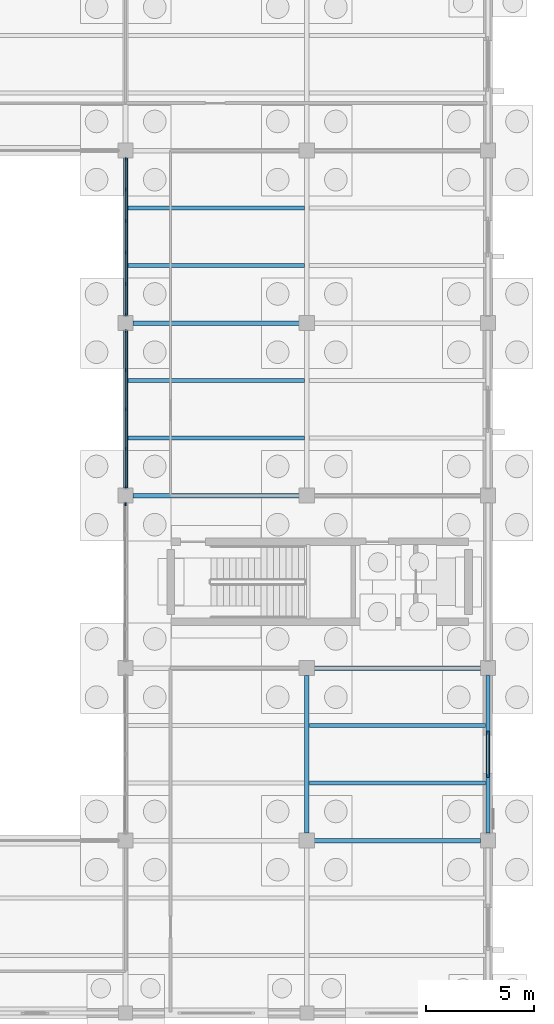
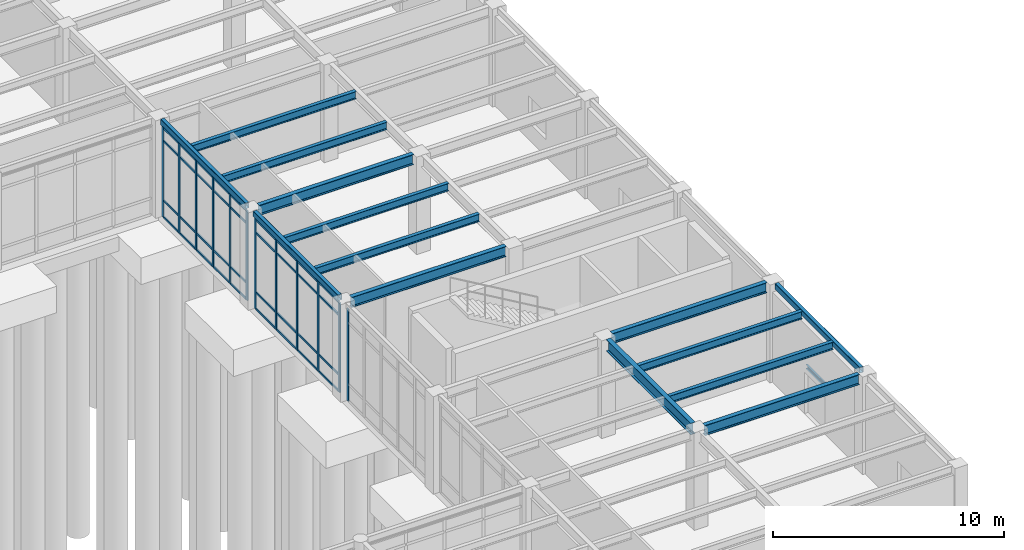
# One storey, part 59 of 138: 48 members, 15 beams, 3 elements without a shape of their own.
"""IFC4 building model written with IfcOpenShell, lengths in metres."""

from ifc_helpers import new_model, si_unit, direction, frame, origin, origin_2d, place, context, subcontext, project, spatial, rectangle, hollow_rectangle, i_section, u_section, extrude, material, layer, layer_set, material_profile, profile_set, type_object, element, aggregate, save


model = new_model("IFC4")

# Units and contexts
model_context = context("Model", 3, precision=1e-05, world=origin(), true_north=direction((0.0, 1.0)))
body_context = subcontext(model_context, "Body", "Model", "MODEL_VIEW")
ifc_project = project(units=[si_unit("LENGTHUNIT", "METRE"), si_unit("AREAUNIT", "SQUARE_METRE"), si_unit("VOLUMEUNIT", "CUBIC_METRE"), si_unit("PLANEANGLEUNIT", "RADIAN"), si_unit("MASSUNIT", "GRAM", prefix="KILO")], contexts=[model_context])

# Site, building, storey
site_placement = place(None, origin())
site = spatial("IfcSite", under=ifc_project, at=site_placement, CompositionType="ELEMENT")
building_placement = place(site_placement, origin())
building = spatial("IfcBuilding", under=site, at=building_placement, Name="Kranzveld Transit Interchange", CompositionType="ELEMENT")
storey_placement = place(building_placement, origin())
storey = spatial("IfcBuildingStorey", under=building, at=storey_placement, Name="L00", CompositionType="ELEMENT", Elevation=0.0)

# Curtain wall, members
ifc_material_1 = material(Name="Bronze-anodised thermally broken aluminium", Category="aluminium")
ifc_layer_1 = layer(ifc_material_1, 0.159912109375)
ifc_layer_set_1 = layer_set([ifc_layer_1], Name="Bronze-anodised thermally broken aluminium")
curtain_wall_type_1 = type_object("IfcCurtainWallType", Name="Bus Boarding Glazed Screen CW-3", PredefinedType="USERDEFINED", material=ifc_layer_set_1)
curtain_wall_1_placement = place(storey_placement, origin())
curtain_wall_1 = element("IfcCurtainWall", 1, at=curtain_wall_1_placement, inside=storey, type_object=curtain_wall_type_1, Name="L00 Curtain Wall 19/L-19/M", ObjectType="CURTAIN WALL", PredefinedType="USERDEFINED")
ifc_material_2 = material(Name="Bronze-anodised thermally broken aluminium", Category="aluminium")
ifc_material_profile_1 = material_profile(ifc_material_2, rectangle(XDim=0.06005859375, YDim=0.14990234375, at=origin_2d()), Name="ALU MULLION 60x150")
ifc_profile_set_1 = profile_set([ifc_material_profile_1], Name="Bronze-anodised thermally broken aluminium")
member_type_1 = type_object("IfcMemberType", Name="Curtain Wall Mullion 60x150 Alu", PredefinedType="MULLION", material=ifc_profile_set_1)
member_1_placement = place(storey_placement, frame((151.199951171875, 80.3798828125, 0.0), z_axis=(0.0, 0.0, 1.0), x_axis=(-1.0, 0.0, 0.0)))
member_1 = element("IfcMember", 2, at=member_1_placement, type_object=member_type_1, Name="CW-3 mullion 1", PredefinedType="MULLION", context=body_context, shape_type="SweptSolid", body=[
    extrude(rectangle(XDim=0.06005859375, YDim=0.14990234375, at=origin_2d()), origin(), (0.0, 0.0, 1.0), 4.747314453125),
])
member_2_placement = place(storey_placement, frame((151.199951171875, 82.175048828125, 0.0), z_axis=(0.0, 0.0, 1.0), x_axis=(-1.0, 0.0, 0.0)))
member_2 = element("IfcMember", 3, at=member_2_placement, type_object=member_type_1, Name="CW-3 mullion 2", PredefinedType="MULLION", context=body_context, shape_type="SweptSolid", body=[
    extrude(rectangle(XDim=0.06005859375, YDim=0.14990234375, at=origin_2d()), origin(), (0.0, 0.0, 1.0), 4.747314453125),
])
member_3_placement = place(storey_placement, frame((151.199951171875, 84.0, 0.0), z_axis=(0.0, 0.0, 1.0), x_axis=(-1.0, 0.0, 0.0)))
member_3 = element("IfcMember", 4, at=member_3_placement, type_object=member_type_1, Name="CW-3 mullion 3", PredefinedType="MULLION", context=body_context, shape_type="SweptSolid", body=[
    extrude(rectangle(XDim=0.06005859375, YDim=0.14990234375, at=origin_2d()), origin(), (0.0, 0.0, 1.0), 4.747314453125),
])
member_4_placement = place(storey_placement, frame((151.199951171875, 85.824951171875, 0.0), z_axis=(0.0, 0.0, 1.0), x_axis=(-1.0, 0.0, 0.0)))
member_4 = element("IfcMember", 5, at=member_4_placement, type_object=member_type_1, Name="CW-3 mullion 4", PredefinedType="MULLION", context=body_context, shape_type="SweptSolid", body=[
    extrude(rectangle(XDim=0.06005859375, YDim=0.14990234375, at=origin_2d()), origin(), (0.0, 0.0, 1.0), 4.747314453125),
])
member_5_placement = place(storey_placement, frame((151.199951171875, 87.6201171875, 0.0), z_axis=(0.0, 0.0, 1.0), x_axis=(-1.0, 0.0, 0.0)))
member_5 = element("IfcMember", 6, at=member_5_placement, type_object=member_type_1, Name="CW-3 mullion 5", PredefinedType="MULLION", context=body_context, shape_type="SweptSolid", body=[
    extrude(rectangle(XDim=0.06005859375, YDim=0.14990234375, at=origin_2d()), origin(), (0.0, 0.0, 1.0), 4.747314453125),
])

ifc_material_3 = material(Name="Bronze-anodised thermally broken aluminium", Category="aluminium")
ifc_layer_2 = layer(ifc_material_3, 0.14990234375)
ifc_layer_set_2 = layer_set([ifc_layer_2], Name="Bronze-anodised thermally broken aluminium")
curtain_wall_type_2 = type_object("IfcCurtainWallType", Name="Public Passage Clerestory Screen CW-4", PredefinedType="USERDEFINED", material=ifc_layer_set_2)
curtain_wall_2_placement = place(storey_placement, origin())
curtain_wall_2 = element("IfcCurtainWall", 7, at=curtain_wall_2_placement, inside=storey, type_object=curtain_wall_type_2, Name="L00 Curtain Wall 19/M-19/N", ObjectType="CURTAIN WALL", PredefinedType="USERDEFINED")
member_6_placement = place(storey_placement, frame((151.199951171875, 88.3798828125, 0.0), z_axis=(0.0, 0.0, 1.0), x_axis=(-1.0, 0.0, 0.0)))
member_6 = element("IfcMember", 8, at=member_6_placement, type_object=member_type_1, Name="CW-4 mullion 1", PredefinedType="MULLION", context=body_context, shape_type="SweptSolid", body=[
    extrude(rectangle(XDim=0.06005859375, YDim=0.14990234375, at=origin_2d()), origin(), (0.0, 0.0, 1.0), 4.747314453125),
])
member_7_placement = place(storey_placement, frame((151.199951171875, 89.81005859375, 0.0), z_axis=(0.0, 0.0, 1.0), x_axis=(-1.0, 0.0, 0.0)))
member_7 = element("IfcMember", 9, at=member_7_placement, type_object=member_type_1, Name="CW-4 mullion 2", PredefinedType="MULLION", context=body_context, shape_type="SweptSolid", body=[
    extrude(rectangle(XDim=0.06005859375, YDim=0.14990234375, at=origin_2d()), origin(), (0.0, 0.0, 1.0), 4.747314453125),
])
member_8_placement = place(storey_placement, frame((151.199951171875, 91.27001953125, 0.0), z_axis=(0.0, 0.0, 1.0), x_axis=(-1.0, 0.0, 0.0)))
member_8 = element("IfcMember", 10, at=member_8_placement, type_object=member_type_1, Name="CW-4 mullion 3", PredefinedType="MULLION", context=body_context, shape_type="SweptSolid", body=[
    extrude(rectangle(XDim=0.06005859375, YDim=0.14990234375, at=origin_2d()), origin(), (0.0, 0.0, 1.0), 4.747314453125),
])
member_9_placement = place(storey_placement, frame((151.199951171875, 92.72998046875, 0.0), z_axis=(0.0, 0.0, 1.0), x_axis=(-1.0, 0.0, 0.0)))
member_9 = element("IfcMember", 11, at=member_9_placement, type_object=member_type_1, Name="CW-4 mullion 4", PredefinedType="MULLION", context=body_context, shape_type="SweptSolid", body=[
    extrude(rectangle(XDim=0.06005859375, YDim=0.14990234375, at=origin_2d()), origin(), (0.0, 0.0, 1.0), 4.747314453125),
])
member_10_placement = place(storey_placement, frame((151.199951171875, 94.18994140625, 0.0), z_axis=(0.0, 0.0, 1.0), x_axis=(-1.0, 0.0, 0.0)))
member_10 = element("IfcMember", 12, at=member_10_placement, type_object=member_type_1, Name="CW-4 mullion 5", PredefinedType="MULLION", context=body_context, shape_type="SweptSolid", body=[
    extrude(rectangle(XDim=0.06005859375, YDim=0.14990234375, at=origin_2d()), origin(), (0.0, 0.0, 1.0), 4.747314453125),
])
member_11_placement = place(storey_placement, frame((151.199951171875, 95.6201171875, 0.0), z_axis=(0.0, 0.0, 1.0), x_axis=(-1.0, 0.0, 0.0)))
member_11 = element("IfcMember", 13, at=member_11_placement, type_object=member_type_1, Name="CW-4 mullion 6", PredefinedType="MULLION", context=body_context, shape_type="SweptSolid", body=[
    extrude(rectangle(XDim=0.06005859375, YDim=0.14990234375, at=origin_2d()), origin(), (0.0, 0.0, 1.0), 4.747314453125),
])

# Curtain wall, member
ifc_material_4 = material(Name="Bronze-anodised thermally broken aluminium", Category="aluminium")
ifc_layer_3 = layer(ifc_material_4, 0.1650390625)
ifc_layer_set_3 = layer_set([ifc_layer_3], Name="Bronze-anodised thermally broken aluminium")
curtain_wall_type_3 = type_object("IfcCurtainWallType", Name="Sunny Court Arcade Curtain Wall CW-2", PredefinedType="USERDEFINED", material=ifc_layer_set_3)
curtain_wall_3_placement = place(storey_placement, origin())
curtain_wall_3 = element("IfcCurtainWall", 14, at=curtain_wall_3_placement, inside=storey, type_object=curtain_wall_type_3, Name="L00 Curtain Wall 19/K-19/L", ObjectType="CURTAIN WALL", PredefinedType="USERDEFINED")
ifc_material_5 = material(Name="Bronze-anodised thermally broken aluminium", Category="aluminium")
ifc_material_profile_2 = material_profile(ifc_material_5, rectangle(XDim=0.06494140625, YDim=0.1650390625, at=origin_2d()), Name="ALU MULLION 65x165")
ifc_profile_set_2 = profile_set([ifc_material_profile_2], Name="Bronze-anodised thermally broken aluminium")
member_type_2 = type_object("IfcMemberType", Name="Curtain Wall Mullion 65x165 Alu", PredefinedType="MULLION", material=ifc_profile_set_2)
member_12_placement = place(storey_placement, frame((151.199951171875, 79.617431640625, 0.0), z_axis=(0.0, 0.0, 1.0), x_axis=(-1.0, 0.0, 0.0)))
member_12 = element("IfcMember", 15, at=member_12_placement, type_object=member_type_2, Name="CW-2 mullion 6", PredefinedType="MULLION", context=body_context, shape_type="SweptSolid", body=[
    extrude(rectangle(XDim=0.06494140625, YDim=0.1650390625, at=origin_2d()), origin(), (0.0, 0.0, 1.0), 4.85009765625),
])
aggregate(curtain_wall_3, [member_12])

# Member
ifc_material_6 = material(Name="Bronze-anodised thermally broken aluminium", Category="aluminium")
ifc_material_profile_3 = material_profile(ifc_material_6, rectangle(XDim=0.06005859375, YDim=0.110107421875, at=origin_2d()), Name="ALU TRANSOM 60x110")
ifc_profile_set_3 = profile_set([ifc_material_profile_3], Name="Bronze-anodised thermally broken aluminium")
member_type_3 = type_object("IfcMemberType", Name="Curtain Wall Transom 60x110 Alu", PredefinedType="USERDEFINED", material=ifc_profile_set_3)
member_13_placement = place(storey_placement, frame((151.199951171875, 80.409912109375, 0.030029296875), z_axis=(0.0, 1.0, 0.0), x_axis=(-1.0, 0.0, 0.0)))
member_13 = element("IfcMember", 16, at=member_13_placement, type_object=member_type_3, Name="CW-3 transom 1.1", ObjectType="TRANSOM", PredefinedType="USERDEFINED", context=body_context, shape_type="SweptSolid", body=[
    extrude(rectangle(XDim=0.06005859375, YDim=0.110107421875, at=origin_2d()), origin(), (0.0, 0.0, 1.0), 1.735107421875),
])

member_14_placement = place(storey_placement, frame((151.199951171875, 80.409912109375, 0.89990234375), z_axis=(0.0, 1.0, 0.0), x_axis=(-1.0, 0.0, 0.0)))
member_14 = element("IfcMember", 17, at=member_14_placement, type_object=member_type_3, Name="CW-3 transom 1.2", ObjectType="TRANSOM", PredefinedType="USERDEFINED", context=body_context, shape_type="SweptSolid", body=[
    extrude(rectangle(XDim=0.06005859375, YDim=0.110107421875, at=origin_2d()), origin(), (0.0, 0.0, 1.0), 1.735107421875),
])

member_15_placement = place(storey_placement, frame((151.199951171875, 80.409912109375, 4.04736328125), z_axis=(0.0, 1.0, 0.0), x_axis=(-1.0, 0.0, 0.0)))
member_15 = element("IfcMember", 18, at=member_15_placement, type_object=member_type_3, Name="CW-3 transom 1.3", ObjectType="TRANSOM", PredefinedType="USERDEFINED", context=body_context, shape_type="SweptSolid", body=[
    extrude(rectangle(XDim=0.06005859375, YDim=0.110107421875, at=origin_2d()), origin(), (0.0, 0.0, 1.0), 1.735107421875),
])

member_16_placement = place(storey_placement, frame((151.199951171875, 80.409912109375, 4.71728515625), z_axis=(0.0, 1.0, 0.0), x_axis=(-1.0, 0.0, 0.0)))
member_16 = element("IfcMember", 19, at=member_16_placement, type_object=member_type_3, Name="CW-3 transom 1.4", ObjectType="TRANSOM", PredefinedType="USERDEFINED", context=body_context, shape_type="SweptSolid", body=[
    extrude(rectangle(XDim=0.06005859375, YDim=0.110107421875, at=origin_2d()), origin(), (0.0, 0.0, 1.0), 1.735107421875),
])

member_17_placement = place(storey_placement, frame((151.199951171875, 82.205078125, 0.030029296875), z_axis=(0.0, 1.0, 0.0), x_axis=(-1.0, 0.0, 0.0)))
member_17 = element("IfcMember", 20, at=member_17_placement, type_object=member_type_3, Name="CW-3 transom 2.1", ObjectType="TRANSOM", PredefinedType="USERDEFINED", context=body_context, shape_type="SweptSolid", body=[
    extrude(rectangle(XDim=0.06005859375, YDim=0.110107421875, at=origin_2d()), origin(), (0.0, 0.0, 1.0), 1.764892578125),
])

member_18_placement = place(storey_placement, frame((151.199951171875, 82.205078125, 0.89990234375), z_axis=(0.0, 1.0, 0.0), x_axis=(-1.0, 0.0, 0.0)))
member_18 = element("IfcMember", 21, at=member_18_placement, type_object=member_type_3, Name="CW-3 transom 2.2", ObjectType="TRANSOM", PredefinedType="USERDEFINED", context=body_context, shape_type="SweptSolid", body=[
    extrude(rectangle(XDim=0.06005859375, YDim=0.110107421875, at=origin_2d()), origin(), (0.0, 0.0, 1.0), 1.764892578125),
])

member_19_placement = place(storey_placement, frame((151.199951171875, 82.205078125, 4.04736328125), z_axis=(0.0, 1.0, 0.0), x_axis=(-1.0, 0.0, 0.0)))
member_19 = element("IfcMember", 22, at=member_19_placement, type_object=member_type_3, Name="CW-3 transom 2.3", ObjectType="TRANSOM", PredefinedType="USERDEFINED", context=body_context, shape_type="SweptSolid", body=[
    extrude(rectangle(XDim=0.06005859375, YDim=0.110107421875, at=origin_2d()), origin(), (0.0, 0.0, 1.0), 1.764892578125),
])

member_20_placement = place(storey_placement, frame((151.199951171875, 82.205078125, 4.71728515625), z_axis=(0.0, 1.0, 0.0), x_axis=(-1.0, 0.0, 0.0)))
member_20 = element("IfcMember", 23, at=member_20_placement, type_object=member_type_3, Name="CW-3 transom 2.4", ObjectType="TRANSOM", PredefinedType="USERDEFINED", context=body_context, shape_type="SweptSolid", body=[
    extrude(rectangle(XDim=0.06005859375, YDim=0.110107421875, at=origin_2d()), origin(), (0.0, 0.0, 1.0), 1.764892578125),
])

member_21_placement = place(storey_placement, frame((151.199951171875, 84.030029296875, 0.030029296875), z_axis=(0.0, 1.0, 0.0), x_axis=(-1.0, 0.0, 0.0)))
member_21 = element("IfcMember", 24, at=member_21_placement, type_object=member_type_3, Name="CW-3 transom 3.1", ObjectType="TRANSOM", PredefinedType="USERDEFINED", context=body_context, shape_type="SweptSolid", body=[
    extrude(rectangle(XDim=0.06005859375, YDim=0.110107421875, at=origin_2d()), origin(), (0.0, 0.0, 1.0), 1.764892578125),
])

member_22_placement = place(storey_placement, frame((151.199951171875, 84.030029296875, 0.89990234375), z_axis=(0.0, 1.0, 0.0), x_axis=(-1.0, 0.0, 0.0)))
member_22 = element("IfcMember", 25, at=member_22_placement, type_object=member_type_3, Name="CW-3 transom 3.2", ObjectType="TRANSOM", PredefinedType="USERDEFINED", context=body_context, shape_type="SweptSolid", body=[
    extrude(rectangle(XDim=0.06005859375, YDim=0.110107421875, at=origin_2d()), origin(), (0.0, 0.0, 1.0), 1.764892578125),
])

member_23_placement = place(storey_placement, frame((151.199951171875, 84.030029296875, 4.04736328125), z_axis=(0.0, 1.0, 0.0), x_axis=(-1.0, 0.0, 0.0)))
member_23 = element("IfcMember", 26, at=member_23_placement, type_object=member_type_3, Name="CW-3 transom 3.3", ObjectType="TRANSOM", PredefinedType="USERDEFINED", context=body_context, shape_type="SweptSolid", body=[
    extrude(rectangle(XDim=0.06005859375, YDim=0.110107421875, at=origin_2d()), origin(), (0.0, 0.0, 1.0), 1.764892578125),
])

member_24_placement = place(storey_placement, frame((151.199951171875, 84.030029296875, 4.71728515625), z_axis=(0.0, 1.0, 0.0), x_axis=(-1.0, 0.0, 0.0)))
member_24 = element("IfcMember", 27, at=member_24_placement, type_object=member_type_3, Name="CW-3 transom 3.4", ObjectType="TRANSOM", PredefinedType="USERDEFINED", context=body_context, shape_type="SweptSolid", body=[
    extrude(rectangle(XDim=0.06005859375, YDim=0.110107421875, at=origin_2d()), origin(), (0.0, 0.0, 1.0), 1.764892578125),
])

member_25_placement = place(storey_placement, frame((151.199951171875, 85.85498046875, 0.030029296875), z_axis=(0.0, 1.0, 0.0), x_axis=(-1.0, 0.0, 0.0)))
member_25 = element("IfcMember", 28, at=member_25_placement, type_object=member_type_3, Name="CW-3 transom 4.1", ObjectType="TRANSOM", PredefinedType="USERDEFINED", context=body_context, shape_type="SweptSolid", body=[
    extrude(rectangle(XDim=0.06005859375, YDim=0.110107421875, at=origin_2d()), origin(), (0.0, 0.0, 1.0), 1.735107421875),
])

member_26_placement = place(storey_placement, frame((151.199951171875, 85.85498046875, 0.89990234375), z_axis=(0.0, 1.0, 0.0), x_axis=(-1.0, 0.0, 0.0)))
member_26 = element("IfcMember", 29, at=member_26_placement, type_object=member_type_3, Name="CW-3 transom 4.2", ObjectType="TRANSOM", PredefinedType="USERDEFINED", context=body_context, shape_type="SweptSolid", body=[
    extrude(rectangle(XDim=0.06005859375, YDim=0.110107421875, at=origin_2d()), origin(), (0.0, 0.0, 1.0), 1.735107421875),
])

member_27_placement = place(storey_placement, frame((151.199951171875, 85.85498046875, 4.04736328125), z_axis=(0.0, 1.0, 0.0), x_axis=(-1.0, 0.0, 0.0)))
member_27 = element("IfcMember", 30, at=member_27_placement, type_object=member_type_3, Name="CW-3 transom 4.3", ObjectType="TRANSOM", PredefinedType="USERDEFINED", context=body_context, shape_type="SweptSolid", body=[
    extrude(rectangle(XDim=0.06005859375, YDim=0.110107421875, at=origin_2d()), origin(), (0.0, 0.0, 1.0), 1.735107421875),
])

member_28_placement = place(storey_placement, frame((151.199951171875, 85.85498046875, 4.71728515625), z_axis=(0.0, 1.0, 0.0), x_axis=(-1.0, 0.0, 0.0)))
member_28 = element("IfcMember", 31, at=member_28_placement, type_object=member_type_3, Name="CW-3 transom 4.4", ObjectType="TRANSOM", PredefinedType="USERDEFINED", context=body_context, shape_type="SweptSolid", body=[
    extrude(rectangle(XDim=0.06005859375, YDim=0.110107421875, at=origin_2d()), origin(), (0.0, 0.0, 1.0), 1.735107421875),
])

aggregate(curtain_wall_1, [member_1, member_2, member_3, member_4, member_5, member_13, member_14, member_15, member_16, member_17, member_18, member_19, member_20, member_21, member_22, member_23, member_24, member_25, member_26, member_27, member_28])

member_29_placement = place(storey_placement, frame((151.199951171875, 88.409912109375, 0.030029296875), z_axis=(0.0, 1.0, 0.0), x_axis=(-1.0, 0.0, 0.0)))
member_29 = element("IfcMember", 32, at=member_29_placement, type_object=member_type_3, Name="CW-4 transom 1.1", ObjectType="TRANSOM", PredefinedType="USERDEFINED", context=body_context, shape_type="SweptSolid", body=[
    extrude(rectangle(XDim=0.06005859375, YDim=0.110107421875, at=origin_2d()), origin(), (0.0, 0.0, 1.0), 1.3701171875),
])

member_30_placement = place(storey_placement, frame((151.199951171875, 88.409912109375, 0.89990234375), z_axis=(0.0, 1.0, 0.0), x_axis=(-1.0, 0.0, 0.0)))
member_30 = element("IfcMember", 33, at=member_30_placement, type_object=member_type_3, Name="CW-4 transom 1.2", ObjectType="TRANSOM", PredefinedType="USERDEFINED", context=body_context, shape_type="SweptSolid", body=[
    extrude(rectangle(XDim=0.06005859375, YDim=0.110107421875, at=origin_2d()), origin(), (0.0, 0.0, 1.0), 1.3701171875),
])

member_31_placement = place(storey_placement, frame((151.199951171875, 88.409912109375, 4.04736328125), z_axis=(0.0, 1.0, 0.0), x_axis=(-1.0, 0.0, 0.0)))
member_31 = element("IfcMember", 34, at=member_31_placement, type_object=member_type_3, Name="CW-4 transom 1.3", ObjectType="TRANSOM", PredefinedType="USERDEFINED", context=body_context, shape_type="SweptSolid", body=[
    extrude(rectangle(XDim=0.06005859375, YDim=0.110107421875, at=origin_2d()), origin(), (0.0, 0.0, 1.0), 1.3701171875),
])

member_32_placement = place(storey_placement, frame((151.199951171875, 88.409912109375, 4.71728515625), z_axis=(0.0, 1.0, 0.0), x_axis=(-1.0, 0.0, 0.0)))
member_32 = element("IfcMember", 35, at=member_32_placement, type_object=member_type_3, Name="CW-4 transom 1.4", ObjectType="TRANSOM", PredefinedType="USERDEFINED", context=body_context, shape_type="SweptSolid", body=[
    extrude(rectangle(XDim=0.06005859375, YDim=0.110107421875, at=origin_2d()), origin(), (0.0, 0.0, 1.0), 1.3701171875),
])

member_33_placement = place(storey_placement, frame((151.199951171875, 89.840087890625, 0.030029296875), z_axis=(0.0, 1.0, 0.0), x_axis=(-1.0, 0.0, 0.0)))
member_33 = element("IfcMember", 36, at=member_33_placement, type_object=member_type_3, Name="CW-4 transom 2.1", ObjectType="TRANSOM", PredefinedType="USERDEFINED", context=body_context, shape_type="SweptSolid", body=[
    extrude(rectangle(XDim=0.06005859375, YDim=0.110107421875, at=origin_2d()), origin(), (0.0, 0.0, 1.0), 1.39990234375),
])

member_34_placement = place(storey_placement, frame((151.199951171875, 89.840087890625, 0.89990234375), z_axis=(0.0, 1.0, 0.0), x_axis=(-1.0, 0.0, 0.0)))
member_34 = element("IfcMember", 37, at=member_34_placement, type_object=member_type_3, Name="CW-4 transom 2.2", ObjectType="TRANSOM", PredefinedType="USERDEFINED", context=body_context, shape_type="SweptSolid", body=[
    extrude(rectangle(XDim=0.06005859375, YDim=0.110107421875, at=origin_2d()), origin(), (0.0, 0.0, 1.0), 1.39990234375),
])

member_35_placement = place(storey_placement, frame((151.199951171875, 89.840087890625, 4.04736328125), z_axis=(0.0, 1.0, 0.0), x_axis=(-1.0, 0.0, 0.0)))
member_35 = element("IfcMember", 38, at=member_35_placement, type_object=member_type_3, Name="CW-4 transom 2.3", ObjectType="TRANSOM", PredefinedType="USERDEFINED", context=body_context, shape_type="SweptSolid", body=[
    extrude(rectangle(XDim=0.06005859375, YDim=0.110107421875, at=origin_2d()), origin(), (0.0, 0.0, 1.0), 1.39990234375),
])

member_36_placement = place(storey_placement, frame((151.199951171875, 89.840087890625, 4.71728515625), z_axis=(0.0, 1.0, 0.0), x_axis=(-1.0, 0.0, 0.0)))
member_36 = element("IfcMember", 39, at=member_36_placement, type_object=member_type_3, Name="CW-4 transom 2.4", ObjectType="TRANSOM", PredefinedType="USERDEFINED", context=body_context, shape_type="SweptSolid", body=[
    extrude(rectangle(XDim=0.06005859375, YDim=0.110107421875, at=origin_2d()), origin(), (0.0, 0.0, 1.0), 1.39990234375),
])

member_37_placement = place(storey_placement, frame((151.199951171875, 91.300048828125, 0.030029296875), z_axis=(0.0, 1.0, 0.0), x_axis=(-1.0, 0.0, 0.0)))
member_37 = element("IfcMember", 40, at=member_37_placement, type_object=member_type_3, Name="CW-4 transom 3.1", ObjectType="TRANSOM", PredefinedType="USERDEFINED", context=body_context, shape_type="SweptSolid", body=[
    extrude(rectangle(XDim=0.06005859375, YDim=0.110107421875, at=origin_2d()), origin(), (0.0, 0.0, 1.0), 1.39990234375),
])

member_38_placement = place(storey_placement, frame((151.199951171875, 91.300048828125, 0.89990234375), z_axis=(0.0, 1.0, 0.0), x_axis=(-1.0, 0.0, 0.0)))
member_38 = element("IfcMember", 41, at=member_38_placement, type_object=member_type_3, Name="CW-4 transom 3.2", ObjectType="TRANSOM", PredefinedType="USERDEFINED", context=body_context, shape_type="SweptSolid", body=[
    extrude(rectangle(XDim=0.06005859375, YDim=0.110107421875, at=origin_2d()), origin(), (0.0, 0.0, 1.0), 1.39990234375),
])

member_39_placement = place(storey_placement, frame((151.199951171875, 91.300048828125, 4.04736328125), z_axis=(0.0, 1.0, 0.0), x_axis=(-1.0, 0.0, 0.0)))
member_39 = element("IfcMember", 42, at=member_39_placement, type_object=member_type_3, Name="CW-4 transom 3.3", ObjectType="TRANSOM", PredefinedType="USERDEFINED", context=body_context, shape_type="SweptSolid", body=[
    extrude(rectangle(XDim=0.06005859375, YDim=0.110107421875, at=origin_2d()), origin(), (0.0, 0.0, 1.0), 1.39990234375),
])

member_40_placement = place(storey_placement, frame((151.199951171875, 91.300048828125, 4.71728515625), z_axis=(0.0, 1.0, 0.0), x_axis=(-1.0, 0.0, 0.0)))
member_40 = element("IfcMember", 43, at=member_40_placement, type_object=member_type_3, Name="CW-4 transom 3.4", ObjectType="TRANSOM", PredefinedType="USERDEFINED", context=body_context, shape_type="SweptSolid", body=[
    extrude(rectangle(XDim=0.06005859375, YDim=0.110107421875, at=origin_2d()), origin(), (0.0, 0.0, 1.0), 1.39990234375),
])

member_41_placement = place(storey_placement, frame((151.199951171875, 92.760009765625, 0.030029296875), z_axis=(0.0, 1.0, 0.0), x_axis=(-1.0, 0.0, 0.0)))
member_41 = element("IfcMember", 44, at=member_41_placement, type_object=member_type_3, Name="CW-4 transom 4.1", ObjectType="TRANSOM", PredefinedType="USERDEFINED", context=body_context, shape_type="SweptSolid", body=[
    extrude(rectangle(XDim=0.06005859375, YDim=0.110107421875, at=origin_2d()), origin(), (0.0, 0.0, 1.0), 1.39990234375),
])

member_42_placement = place(storey_placement, frame((151.199951171875, 92.760009765625, 0.89990234375), z_axis=(0.0, 1.0, 0.0), x_axis=(-1.0, 0.0, 0.0)))
member_42 = element("IfcMember", 45, at=member_42_placement, type_object=member_type_3, Name="CW-4 transom 4.2", ObjectType="TRANSOM", PredefinedType="USERDEFINED", context=body_context, shape_type="SweptSolid", body=[
    extrude(rectangle(XDim=0.06005859375, YDim=0.110107421875, at=origin_2d()), origin(), (0.0, 0.0, 1.0), 1.39990234375),
])

member_43_placement = place(storey_placement, frame((151.199951171875, 92.760009765625, 4.04736328125), z_axis=(0.0, 1.0, 0.0), x_axis=(-1.0, 0.0, 0.0)))
member_43 = element("IfcMember", 46, at=member_43_placement, type_object=member_type_3, Name="CW-4 transom 4.3", ObjectType="TRANSOM", PredefinedType="USERDEFINED", context=body_context, shape_type="SweptSolid", body=[
    extrude(rectangle(XDim=0.06005859375, YDim=0.110107421875, at=origin_2d()), origin(), (0.0, 0.0, 1.0), 1.39990234375),
])

member_44_placement = place(storey_placement, frame((151.199951171875, 92.760009765625, 4.71728515625), z_axis=(0.0, 1.0, 0.0), x_axis=(-1.0, 0.0, 0.0)))
member_44 = element("IfcMember", 47, at=member_44_placement, type_object=member_type_3, Name="CW-4 transom 4.4", ObjectType="TRANSOM", PredefinedType="USERDEFINED", context=body_context, shape_type="SweptSolid", body=[
    extrude(rectangle(XDim=0.06005859375, YDim=0.110107421875, at=origin_2d()), origin(), (0.0, 0.0, 1.0), 1.39990234375),
])

member_45_placement = place(storey_placement, frame((151.199951171875, 94.219970703125, 0.030029296875), z_axis=(0.0, 1.0, 0.0), x_axis=(-1.0, 0.0, 0.0)))
member_45 = element("IfcMember", 48, at=member_45_placement, type_object=member_type_3, Name="CW-4 transom 5.1", ObjectType="TRANSOM", PredefinedType="USERDEFINED", context=body_context, shape_type="SweptSolid", body=[
    extrude(rectangle(XDim=0.06005859375, YDim=0.110107421875, at=origin_2d()), origin(), (0.0, 0.0, 1.0), 1.3701171875),
])

member_46_placement = place(storey_placement, frame((151.199951171875, 94.219970703125, 0.89990234375), z_axis=(0.0, 1.0, 0.0), x_axis=(-1.0, 0.0, 0.0)))
member_46 = element("IfcMember", 49, at=member_46_placement, type_object=member_type_3, Name="CW-4 transom 5.2", ObjectType="TRANSOM", PredefinedType="USERDEFINED", context=body_context, shape_type="SweptSolid", body=[
    extrude(rectangle(XDim=0.06005859375, YDim=0.110107421875, at=origin_2d()), origin(), (0.0, 0.0, 1.0), 1.3701171875),
])

member_47_placement = place(storey_placement, frame((151.199951171875, 94.219970703125, 4.04736328125), z_axis=(0.0, 1.0, 0.0), x_axis=(-1.0, 0.0, 0.0)))
member_47 = element("IfcMember", 50, at=member_47_placement, type_object=member_type_3, Name="CW-4 transom 5.3", ObjectType="TRANSOM", PredefinedType="USERDEFINED", context=body_context, shape_type="SweptSolid", body=[
    extrude(rectangle(XDim=0.06005859375, YDim=0.110107421875, at=origin_2d()), origin(), (0.0, 0.0, 1.0), 1.3701171875),
])

member_48_placement = place(storey_placement, frame((151.199951171875, 94.219970703125, 4.71728515625), z_axis=(0.0, 1.0, 0.0), x_axis=(-1.0, 0.0, 0.0)))
member_48 = element("IfcMember", 51, at=member_48_placement, type_object=member_type_3, Name="CW-4 transom 5.4", ObjectType="TRANSOM", PredefinedType="USERDEFINED", context=body_context, shape_type="SweptSolid", body=[
    extrude(rectangle(XDim=0.06005859375, YDim=0.110107421875, at=origin_2d()), origin(), (0.0, 0.0, 1.0), 1.3701171875),
])

aggregate(curtain_wall_2, [member_6, member_7, member_8, member_9, member_10, member_11, member_29, member_30, member_31, member_32, member_33, member_34, member_35, member_36, member_37, member_38, member_39, member_40, member_41, member_42, member_43, member_44, member_45, member_46, member_47, member_48])

# Beams
ifc_material_7 = material(Name="Steel S355JR", Category="steel")
ifc_material_profile_4 = material_profile(ifc_material_7, hollow_rectangle(XDim=0.199951171875, YDim=0.300048828125, WallThickness=0.010009765625, InnerFilletRadius=0.014892578125, OuterFilletRadius=0.02490234375, at=origin_2d()), Name="RHS 300x200x10")
ifc_profile_set_4 = profile_set([ifc_material_profile_4], Name="Steel S355JR")
beam_type_1 = type_object("IfcBeamType", Name="Edge Spandrel RHS 300x200x10 S355JR", PredefinedType="SPANDREL", material=ifc_profile_set_4)
for number, where, z_axis, x_axis, name in (
    (52, (151.199951171875, 80.340087890625, 5.0), (0.0, 1.0, 0.0), (-1.0, 0.0, 0.0), "L00 Girder 19/L-M"),
    (53, (151.199951171875, 88.340087890625, 5.0), (0.0, 1.0, 0.0), (-1.0, 0.0, 0.0), "L00 Girder 19/M-N"),
    (54, (168.0, 64.340087890625, 5.0), (0.0, 1.0, 0.0), (-1.0, 0.0, 0.0), "L00 Girder 21/J-K"),
):
    element("IfcBeam", number, at=place(storey_placement, frame(where, z_axis=z_axis, x_axis=x_axis)), inside=storey, type_object=beam_type_1, Name=name, PredefinedType="SPANDREL", context=body_context, shape_type="SweptSolid", body=[
        extrude(hollow_rectangle(XDim=0.199951171875, YDim=0.300048828125, WallThickness=0.010009765625, InnerFilletRadius=0.014892578125, OuterFilletRadius=0.02490234375, at=origin_2d()), origin(), (0.0, 0.0, 1.0), 7.31982421875),
    ])
ifc_material_8 = material(Name="Steel S355JR", Category="steel")
ifc_material_profile_5 = material_profile(ifc_material_8, i_section(OverallWidth=0.177734375, OverallDepth=0.402587890625, WebThickness=0.0078125, FlangeThickness=0.010986328125, FilletRadius=0.01025390625, at=origin_2d()), Name="UB 406x178x54")
ifc_profile_set_5 = profile_set([ifc_material_profile_5], Name="Steel S355JR")
beam_type_2 = type_object("IfcBeamType", Name="Floor Joist UB 406x178x54 S355JR", PredefinedType="JOIST", material=ifc_profile_set_5)
for number, where, z_axis, x_axis, name in (
    (55, (151.302001953125, 82.666748046875, 4.94873046875), (1.0, 0.0, 0.0), (0.0, 1.0, 0.0), "L00 Secondary Joist 19-20/L.1"),
    (56, (151.302001953125, 85.333251953125, 4.94873046875), (1.0, 0.0, 0.0), (0.0, 1.0, 0.0), "L00 Secondary Joist 19-20/L.2"),
    (57, (151.302001953125, 90.666748046875, 4.94873046875), (1.0, 0.0, 0.0), (0.0, 1.0, 0.0), "L00 Secondary Joist 19-20/M.1"),
    (58, (151.302001953125, 93.333251953125, 4.94873046875), (1.0, 0.0, 0.0), (0.0, 1.0, 0.0), "L00 Secondary Joist 19-20/M.2"),
    (59, (159.716064453125, 66.666748046875, 4.94873046875), (1.0, 0.0, 0.0), (0.0, 1.0, 0.0), "L00 Secondary Joist 20-21/J.1"),
    (60, (159.716064453125, 69.333251953125, 4.94873046875), (1.0, 0.0, 0.0), (0.0, 1.0, 0.0), "L00 Secondary Joist 20-21/J.2"),
):
    element("IfcBeam", number, at=place(storey_placement, frame(where, z_axis=z_axis, x_axis=x_axis)), inside=storey, type_object=beam_type_2, Name=name, PredefinedType="JOIST", context=body_context, shape_type="SweptSolid", body=[
        extrude(i_section(OverallWidth=0.177734375, OverallDepth=0.402587890625, WebThickness=0.0078125, FlangeThickness=0.010986328125, FilletRadius=0.01025390625, at=origin_2d()), origin(), (0.0, 0.0, 1.0), 8.181884765625),
    ])
ifc_material_9 = material(Name="Steel S355JR", Category="steel")
ifc_material_profile_6 = material_profile(ifc_material_9, i_section(OverallWidth=0.2119140625, OverallDepth=0.54443359375, WebThickness=0.0126953125, FlangeThickness=0.021240234375, FilletRadius=0.0126953125, at=origin_2d()), Name="UB 533x210x122")
ifc_profile_set_6 = profile_set([ifc_material_profile_6], Name="Steel S355JR")
beam_type_3 = type_object("IfcBeamType", Name="Girder Steel UB 533x210x122 S355JR", PredefinedType="BEAM", material=ifc_profile_set_6)
for number, where, z_axis, x_axis, name in (
    (61, (159.93994140625, 64.0, 4.877685546875), (1.0, 0.0, 0.0), (0.0, 1.0, 0.0), "L00 Girder 20-21/J"),
    (62, (159.93994140625, 72.0, 4.877685546875), (1.0, 0.0, 0.0), (0.0, 1.0, 0.0), "L00 Girder 20-21/K"),
    (63, (151.5400390625, 80.0, 4.877685546875), (1.0, 0.0, 0.0), (0.0, 1.0, 0.0), "L00 Girder 19-20/L"),
    (64, (151.5400390625, 88.0, 4.877685546875), (1.0, 0.0, 0.0), (0.0, 1.0, 0.0), "L00 Girder 19-20/M"),
):
    element("IfcBeam", number, at=place(storey_placement, frame(where, z_axis=z_axis, x_axis=x_axis)), inside=storey, type_object=beam_type_3, Name=name, PredefinedType="BEAM", context=body_context, shape_type="SweptSolid", body=[
        extrude(i_section(OverallWidth=0.2119140625, OverallDepth=0.54443359375, WebThickness=0.0126953125, FlangeThickness=0.021240234375, FilletRadius=0.0126953125, at=origin_2d()), origin(), (0.0, 0.0, 1.0), 7.719970703125),
    ])
ifc_material_10 = material(Name="Steel S355JR", Category="steel")
ifc_material_profile_7 = material_profile(ifc_material_10, i_section(OverallWidth=0.228271484375, OverallDepth=0.607666015625, WebThickness=0.010986328125, FlangeThickness=0.017333984375, FilletRadius=0.0126953125, at=origin_2d()), Name="UB 610x229x113")
ifc_profile_set_7 = profile_set([ifc_material_profile_7], Name="Steel S355JR")
beam_type_4 = type_object("IfcBeamType", Name="Girder Steel UB 610x229x113 S355JR", PredefinedType="BEAM", material=ifc_profile_set_7)
beam_1_placement = place(storey_placement, frame((159.60009765625, 64.340087890625, 4.84619140625), z_axis=(0.0, 1.0, 0.0), x_axis=(-1.0, 0.0, 0.0)))
element("IfcBeam", 65, at=beam_1_placement, inside=storey, type_object=beam_type_4, Name="L00 Girder 20/J-K", PredefinedType="BEAM", context=body_context, shape_type="SweptSolid", body=[
    extrude(i_section(OverallWidth=0.228271484375, OverallDepth=0.607666015625, WebThickness=0.010986328125, FlangeThickness=0.017333984375, FilletRadius=0.0126953125, at=origin_2d()), origin(), (0.0, 0.0, 1.0), 7.31982421875),
])
ifc_material_11 = material(Name="Steel S355JR", Category="steel")
ifc_material_profile_8 = material_profile(ifc_material_11, u_section(Depth=0.22998046875, FlangeWidth=0.090087890625, WebThickness=0.007568359375, FlangeThickness=0.013916015625, FilletRadius=0.011962890625, at=origin_2d()), Name="PFC 230x90x32")
ifc_profile_set_8 = profile_set([ifc_material_profile_8], Name="Steel S355JR")
beam_type_5 = type_object("IfcBeamType", Name="Masonry Lintel PFC 230x90x32 S355JR", PredefinedType="LINTEL", material=ifc_profile_set_8)
beam_2_placement = place(storey_placement, frame((168.0, 66.919921875, 2.320068359375), z_axis=(0.0, 1.0, 0.0), x_axis=(-1.0, 0.0, 0.0)))
element("IfcBeam", 66, at=beam_2_placement, inside=storey, type_object=beam_type_5, Name="L00 Entrance Door Lintel 010", PredefinedType="LINTEL", context=body_context, shape_type="SweptSolid", body=[
    extrude(u_section(Depth=0.22998046875, FlangeWidth=0.090087890625, WebThickness=0.007568359375, FlangeThickness=0.013916015625, FilletRadius=0.011962890625, at=origin_2d()), origin(), (0.0, 0.0, 1.0), 2.16015625),
])

save(model, "model.ifc")
